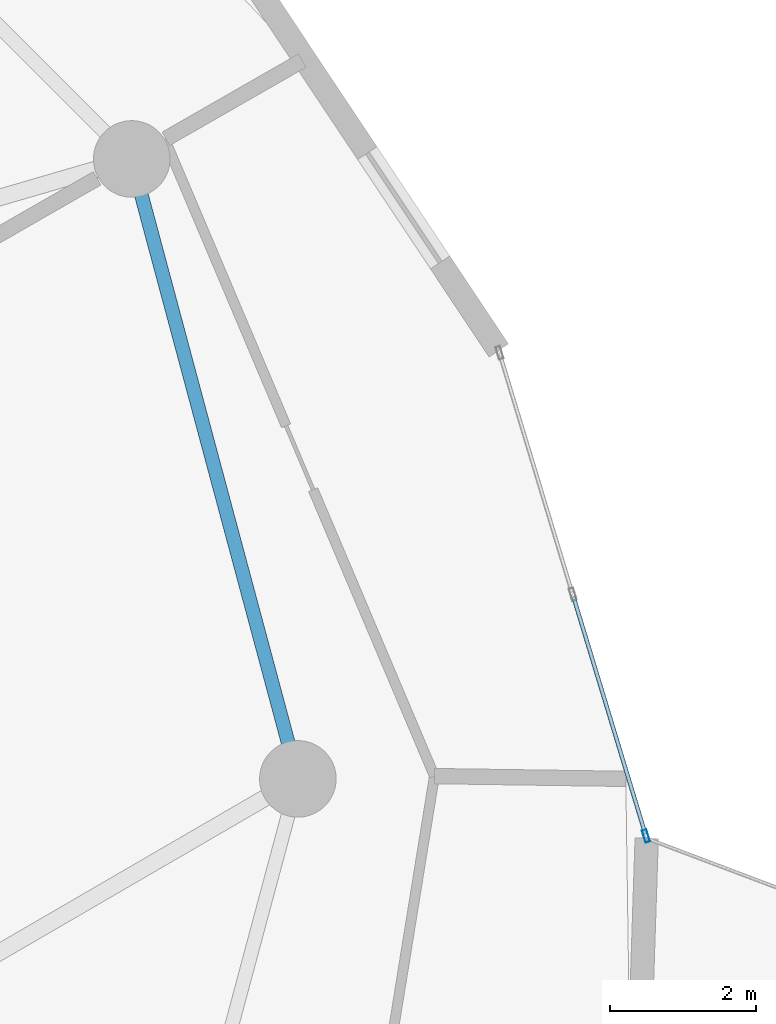
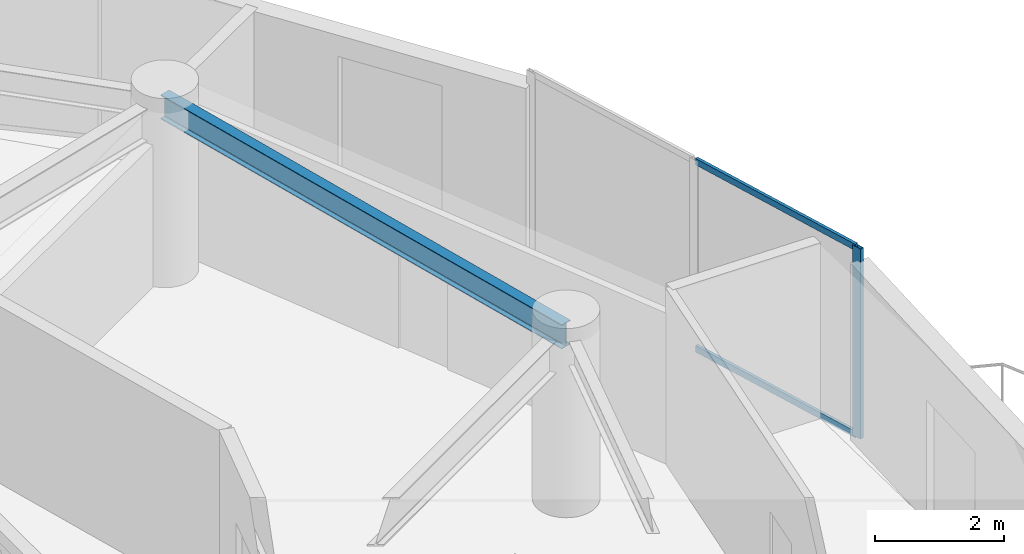
# One storey, part 13 of 26: 3 members, 1 beam, 1 element without a shape of its own.
"""IFC4 building model written with IfcOpenShell, lengths in metres."""

import ifcopenshell
import ifcopenshell.guid

model = None  # the IFC model being written
_history = None  # IfcOwnerHistory: only IFC2X3 demands one
_inside = {}  # id of a spatial element -> (the spatial element, [elements in it])
_under = {}  # id of a project, library or spatial element -> (it, [spatial elements below it])
_declared = {}  # id of a project -> (the project, [libraries it declares])
_typed = {}  # id of a type object -> (the type object, [elements of that type])
_made_of = {}  # id of a material, layer set ... -> (it, [elements and type objects made of it])


def new_model(schema):
    """Start an empty IFC model of exactly this schema.

    Asked for "IFC4X3", IfcOpenShell would pick the latest addendum, in which some entities
    have other attributes; the version numbers below select the first issue.
    IFC2X3 requires an IfcOwnerHistory on every rooted entity: one is made here for all.
    """
    global model, _history
    if schema == "IFC4X3":
        model = ifcopenshell.file(schema_version=(4, 3, 0, 0))
    else:
        model = ifcopenshell.file(schema=schema)
    _inside.clear()
    _under.clear()
    _declared.clear()
    _typed.clear()
    _made_of.clear()
    _history = None
    if model.schema == "IFC2X3":
        org = make("IfcOrganization", Name="unknown")
        user = make(
            "IfcPersonAndOrganization",
            ThePerson=make("IfcPerson", FamilyName="unknown"),
            TheOrganization=org,
        )
        app = make(
            "IfcApplication",
            ApplicationDeveloper=org,
            Version="unknown",
            ApplicationFullName="unknown",
            ApplicationIdentifier="unknown",
        )
        _history = make(
            "IfcOwnerHistory",
            OwningUser=user,
            OwningApplication=app,
            ChangeAction="ADDED",
            CreationDate=0,
        )
    return model


def make(cls, **values):
    """One entity of the class cls with the attributes given. An attribute that is None is left unset."""
    return model.create_entity(
        cls, **{name: value for name, value in values.items() if value is not None}
    )


def rooted(cls, **values):
    """An entity with a GlobalId (a new one), such as an element, a storey or a relation."""
    return make(cls, GlobalId=ifcopenshell.guid.new(), OwnerHistory=_history, **values)


def si_unit(unit_type, name, prefix=None):
    """IfcSIUnit, for example si_unit("LENGTHUNIT", "METRE", prefix="MILLI")."""
    return make("IfcSIUnit", UnitType=unit_type, Prefix=prefix, Name=name)


def assignment(units):
    """IfcUnitAssignment: the units of a project."""
    return None if units is None else make("IfcUnitAssignment", Units=units)


def point(xyz):
    """IfcCartesianPoint."""
    return None if xyz is None else make("IfcCartesianPoint", Coordinates=xyz)


def direction(xyz):
    """IfcDirection."""
    return None if xyz is None else make("IfcDirection", DirectionRatios=xyz)


def frame(location, z_axis=None, x_axis=None):
    """IfcAxis2Placement3D, a coordinate frame: its origin and axes. An axis left out is left unset."""
    return make(
        "IfcAxis2Placement3D",
        Location=point(location),
        Axis=direction(z_axis),
        RefDirection=direction(x_axis),
    )


def frame_2d(location, x_axis=None):
    """IfcAxis2Placement2D, a coordinate frame in the plane: its origin and x axis."""
    return make(
        "IfcAxis2Placement2D", Location=point(location), RefDirection=direction(x_axis)
    )


def origin():
    """The frame at (0, 0, 0) with its axes left unset."""
    return frame((0.0, 0.0, 0.0))


def origin_2d():
    """The frame at (0, 0) in the plane with its x axis left unset."""
    return frame_2d((0.0, 0.0))


def place(relative_to, where):
    """IfcLocalPlacement: puts the frame where relative to a parent placement (None: the world)."""
    return make(
        "IfcLocalPlacement", PlacementRelTo=relative_to, RelativePlacement=where
    )


def context(
    kind, dimensions, precision=None, world=None, true_north=None, identifier=None
):
    """IfcGeometricRepresentationContext, for example the 3D "Model" context."""
    return make(
        "IfcGeometricRepresentationContext",
        ContextIdentifier=identifier,
        ContextType=kind,
        CoordinateSpaceDimension=dimensions,
        Precision=precision,
        WorldCoordinateSystem=world,
        TrueNorth=true_north,
    )


def subcontext(parent, identifier, kind, view, scale=None):
    """IfcGeometricRepresentationSubContext, for example "Body" below "Model"."""
    return make(
        "IfcGeometricRepresentationSubContext",
        ContextIdentifier=identifier,
        ContextType=kind,
        ParentContext=parent,
        TargetScale=scale,
        TargetView=view,
    )


def project(units=None, contexts=None):
    """IfcProject with its units and contexts."""
    return rooted(
        "IfcProject",
        Name="project",
        RepresentationContexts=contexts,
        UnitsInContext=assignment(units),
    )


def spatial(cls, under=None, at=None, **own):
    """A site, building, storey or space (cls), placed at a placement, below another one or the project."""
    s = rooted(cls, ObjectPlacement=at, **own)
    if under is not None:
        _under.setdefault(under.id(), (under, []))[1].append(s)
    return s


def profile(cls, at=None, kind="AREA", **sizes):
    """A parametric profile (cls). Its sizes go by their IFC names, for example OverallWidth=200.0."""
    return make(cls, ProfileType=kind, Position=at, **sizes)


def hollow_rectangle(**sizes):
    """IfcRectangleHollowProfileDef."""
    return profile("IfcRectangleHollowProfileDef", **sizes)


def i_section(**sizes):
    """IfcIShapeProfileDef."""
    return profile("IfcIShapeProfileDef", **sizes)


def extrude(swept, where, along, depth):
    """IfcExtrudedAreaSolid: the profile swept, set in the frame where, extruded along a direction by depth."""
    return make(
        "IfcExtrudedAreaSolid",
        SweptArea=swept,
        Position=where,
        ExtrudedDirection=direction(along),
        Depth=depth,
    )


def shape(context_of_items, identifier, shape_type, items):
    """IfcShapeRepresentation: the items that make up one representation, for example the "Body"."""
    return make(
        "IfcShapeRepresentation",
        ContextOfItems=context_of_items,
        RepresentationIdentifier=identifier,
        RepresentationType=shape_type,
        Items=items,
    )


def source(mapping_origin, context_of_items, identifier, shape_type, items):
    """IfcRepresentationMap: a shape defined once, which mapped items show again and again."""
    return make(
        "IfcRepresentationMap",
        MappingOrigin=mapping_origin,
        MappedRepresentation=shape(context_of_items, identifier, shape_type, items),
    )


def transform(
    local_origin,
    x_axis=None,
    y_axis=None,
    z_axis=None,
    scale=None,
    scale2=None,
    scale3=None,
    uniform=True,
):
    """IfcCartesianTransformationOperator3D, or its non-uniform kind. x_axis, y_axis, z_axis: its Axis1, 2, 3."""
    if uniform:
        return make(
            "IfcCartesianTransformationOperator3D",
            Axis1=direction(x_axis),
            Axis2=direction(y_axis),
            LocalOrigin=point(local_origin),
            Scale=scale,
            Axis3=direction(z_axis),
        )
    return make(
        "IfcCartesianTransformationOperator3DnonUniform",
        Axis1=direction(x_axis),
        Axis2=direction(y_axis),
        LocalOrigin=point(local_origin),
        Scale=scale,
        Axis3=direction(z_axis),
        Scale2=scale2,
        Scale3=scale3,
    )


def mapped(mapping_source, mapping_target):
    """IfcMappedItem: shows the shape of a source again, moved by a transform."""
    return make(
        "IfcMappedItem", MappingSource=mapping_source, MappingTarget=mapping_target
    )


def material(Name=None, Category=None):
    """IfcMaterial."""
    return make("IfcMaterial", Name=Name, Category=Category)


def layer(
    of_material, thickness, ventilated=None, Name=None, Category=None, Priority=None
):
    """IfcMaterialLayer: one layer of a wall or slab, of a material (None: an air gap)."""
    return make(
        "IfcMaterialLayer",
        Material=of_material,
        LayerThickness=thickness,
        IsVentilated=ventilated,
        Name=Name,
        Category=Category,
        Priority=Priority,
    )


def layer_set(layers, Name=None):
    """IfcMaterialLayerSet."""
    return make("IfcMaterialLayerSet", MaterialLayers=layers, LayerSetName=Name)


def material_profile(
    of_material, cross_section, Name=None, Category=None, Priority=None
):
    """IfcMaterialProfile: a cross section and its material."""
    return make(
        "IfcMaterialProfile",
        Name=Name,
        Material=of_material,
        Profile=cross_section,
        Priority=Priority,
        Category=Category,
    )


def profile_set(profiles, Name=None, composite=None):
    """IfcMaterialProfileSet."""
    return make(
        "IfcMaterialProfileSet",
        Name=Name,
        MaterialProfiles=profiles,
        CompositeProfile=composite,
    )


def made_of(thing, what):
    """Note that an element or type object is made of a material, layer set ...; save() writes the relation."""
    if what is not None:
        _made_of.setdefault(what.id(), (what, []))[1].append(thing)
    return thing


def type_object(cls, material=None, **own):
    """A type object (cls), such as IfcWallType, which elements share."""
    return made_of(rooted(cls, **own), material)


def element(
    cls,
    number,
    at=None,
    inside=None,
    cuts=None,
    type_object=None,
    material=None,
    context=None,
    identifier="Body",
    shape_type=None,
    held_by="IfcProductDefinitionShape",
    body=None,
    shapes=None,
    **own,
):
    """One element of the class cls, such as IfcWall. Its Tag is "e" and its number.

    at: its placement. inside: the storey or other place that contains it. cuts: it is an
    opening in that element (IfcRelVoidsElement). A single representation is given by context,
    identifier, shape_type and body (its items); several are given by shapes. held_by: the class
    of the entity that holds the representations. save() writes the other relations.
    """
    e = rooted(cls, Tag="e%d" % number, ObjectPlacement=at, **own)
    if body is not None:
        shapes = [shape(context, identifier, shape_type, body)]
    if shapes is not None:
        e.Representation = make(held_by, Representations=shapes)
    if inside is not None:
        _inside.setdefault(inside.id(), (inside, []))[1].append(e)
    if cuts is not None:
        rooted(
            "IfcRelVoidsElement", RelatingBuildingElement=cuts, RelatedOpeningElement=e
        )
    if type_object is not None:
        _typed.setdefault(type_object.id(), (type_object, []))[1].append(e)
    return made_of(e, material)


def aggregate(whole, parts):
    """IfcRelAggregates: a whole, such as a stair, and the parts it consists of."""
    return rooted("IfcRelAggregates", RelatingObject=whole, RelatedObjects=parts)


def save(model, path):
    """Write the relations noted so far, then the file.

    IfcRelAggregates (storeys below a building ...), IfcRelContainedInSpatialStructure (elements
    in a storey), IfcRelDefinesByType, IfcRelAssociatesMaterial and IfcRelDeclares: one each for
    every whole, place, type object, material and project.
    """
    for whole, parts in _under.values():
        aggregate(whole, parts)
    for where, things in _inside.values():
        rooted(
            "IfcRelContainedInSpatialStructure",
            RelatedElements=things,
            RelatingStructure=where,
        )
    for kind, things in _typed.values():
        rooted("IfcRelDefinesByType", RelatedObjects=things, RelatingType=kind)
    for what, things in _made_of.values():
        rooted("IfcRelAssociatesMaterial", RelatedObjects=things, RelatingMaterial=what)
    for by, libraries in _declared.values():
        rooted("IfcRelDeclares", RelatingContext=by, RelatedDefinitions=libraries)
    model.write(path)


model = new_model("IFC4")

# Units and contexts
model_context = context("Model", 3, precision=1e-05, world=origin(), true_north=direction((0.0, 1.0)))
body_context = subcontext(model_context, "Body", "Model", "MODEL_VIEW")
ifc_project = project(units=[si_unit("LENGTHUNIT", "METRE"), si_unit("AREAUNIT", "SQUARE_METRE"), si_unit("VOLUMEUNIT", "CUBIC_METRE"), si_unit("PLANEANGLEUNIT", "RADIAN"), si_unit("MASSUNIT", "GRAM", prefix="KILO")], contexts=[model_context])

# Site, building, storey
site_placement = place(None, origin())
site = spatial("IfcSite", under=ifc_project, at=site_placement, CompositionType="ELEMENT")
building_placement = place(site_placement, origin())
building = spatial("IfcBuilding", under=site, at=building_placement, Name="Solvirekh Grand Hotel", CompositionType="ELEMENT")
storey_placement = place(building_placement, frame((0.0, 0.0, 113.39990234375)))
storey = spatial("IfcBuildingStorey", under=building, at=storey_placement, Name="L28", CompositionType="ELEMENT", Elevation=113.39990234375)

# Beam
ifc_material_1 = material(Name="Steel S355", Category="steel")
ifc_material_profile_1 = material_profile(ifc_material_1, i_section(OverallWidth=0.18994140625, OverallDepth=0.45703125, WebThickness=0.009033203125, FlangeThickness=0.013916015625, FilletRadius=0.012939453125, at=origin_2d()), Name="W460X74")
ifc_profile_set_1 = profile_set([ifc_material_profile_1], Name="Steel S355")
beam_type = type_object("IfcBeamType", Name="Spandrel_Ring_W460", PredefinedType="SPANDREL", material=ifc_profile_set_1)
beam_placement = place(storey_placement, frame((17.0, 0.0, 3.1220703125), z_axis=(-0.258872908946, 0.965911391906, 0.0), x_axis=(-0.965911391906, -0.258872908946, 0.0)))
element("IfcBeam", 1, at=beam_placement, inside=storey, type_object=beam_type, Name="L28 perimeter spandrel beam 1", PredefinedType="SPANDREL", context=body_context, shape_type="SweptSolid", body=[
    extrude(i_section(OverallWidth=0.18994140625, OverallDepth=0.45703125, WebThickness=0.009033203125, FlangeThickness=0.013916015625, FilletRadius=0.012939453125, at=origin_2d()), origin(), (0.0, 0.0, 1.0), 8.800048828125),
])

# Curtain wall, members
ifc_material_2 = material(Name="Anodized Bronze Aluminium 6063-T6", Category="aluminium")
ifc_layer = layer(ifc_material_2, 0.175048828125)
ifc_layer_set = layer_set([ifc_layer], Name="Anodized Bronze Aluminium 6063-T6")
curtain_wall_type = type_object("IfcCurtainWallType", Name="CW_Sys3_MidZoneFlushBronzeCW", PredefinedType="NOTDEFINED", material=ifc_layer_set)
curtain_wall_placement = place(storey_placement, origin())
curtain_wall = element("IfcCurtainWall", 2, at=curtain_wall_placement, inside=storey, type_object=curtain_wall_type, Name="L28 unitised bronze-glass curtain wall CW-L28-C03", PredefinedType="NOTDEFINED")
ifc_material_profile_2 = material_profile(ifc_material_2, hollow_rectangle(XDim=0.06494140625, YDim=0.175048828125, WallThickness=0.0048828125, at=origin_2d()), Name="ALU RHS 175X65X5")
ifc_profile_set_2 = profile_set([ifc_material_profile_2], Name="Anodized Bronze Aluminium 6063-T6")
member_type_1 = type_object("IfcMemberType", Name="CWMullion_Sys3", PredefinedType="MULLION", material=ifc_profile_set_2)
shared_shape_1 = source(origin(), body_context, "Body", "SweptSolid", [
    extrude(hollow_rectangle(XDim=0.06494140625, YDim=0.175048828125, WallThickness=0.0048828125, at=origin_2d()), origin(), (0.0, 0.0, 1.0), 3.60009765625),
])
member_1_placement = place(storey_placement, frame((21.773681640625, -0.783935546875, 0.0), z_axis=(0.0, 0.0, 1.0), x_axis=(-0.957023201108, -0.290011366226, 0.0)))
member_1 = element("IfcMember", 3, at=member_1_placement, type_object=member_type_1, Name="U03 mullion 1", PredefinedType="MULLION", context=body_context, shape_type="MappedRepresentation", body=[
    mapped(shared_shape_1, transform((0.0, 0.0, 0.0), x_axis=(1.0, 0.0, 0.0), y_axis=(0.0, 1.0, 0.0), z_axis=(0.0, 0.0, 1.0), scale=1.0)),
])
ifc_material_profile_3 = material_profile(ifc_material_2, hollow_rectangle(XDim=0.054931640625, YDim=0.1201171875, WallThickness=0.00390625, at=origin_2d()), Name="ALU RHS 120X55X4")
ifc_profile_set_3 = profile_set([ifc_material_profile_3], Name="Anodized Bronze Aluminium 6063-T6")
member_type_2 = type_object("IfcMemberType", Name="CWTransom_Sys3", PredefinedType="USERDEFINED", material=ifc_profile_set_3)
shared_shape_2 = source(origin(), body_context, "Body", "SweptSolid", [
    extrude(hollow_rectangle(XDim=0.054931640625, YDim=0.1201171875, WallThickness=0.00390625, at=origin_2d()), origin(), (0.0, 0.0, 1.0), 3.39697265625),
])
member_2_placement = place(storey_placement, frame((21.76416015625, -0.752685546875, 0.027587890625), z_axis=(-0.29006324588, 0.957007478231, 0.0), x_axis=(-0.957007478231, -0.29006324588, 0.0)))
member_2 = element("IfcMember", 4, at=member_2_placement, type_object=member_type_2, Name="U03 transom 1.1", ObjectType="TRANSOM", PredefinedType="USERDEFINED", context=body_context, shape_type="MappedRepresentation", body=[
    mapped(shared_shape_2, transform((0.0, 0.0, 0.0), x_axis=(1.0, 0.0, 0.0), y_axis=(0.0, 1.0, 0.0), z_axis=(0.0, 0.0, 1.0), scale=1.0)),
])
member_3_placement = place(storey_placement, frame((21.76416015625, -0.752685546875, 3.572509765625), z_axis=(-0.29006324588, 0.957007478231, 0.0), x_axis=(-0.957007478231, -0.29006324588, 0.0)))
member_3 = element("IfcMember", 5, at=member_3_placement, type_object=member_type_2, Name="U03 transom 1.2", ObjectType="TRANSOM", PredefinedType="USERDEFINED", context=body_context, shape_type="MappedRepresentation", body=[
    mapped(shared_shape_2, transform((0.0, 0.0, 0.0), x_axis=(1.0, 0.0, 0.0), y_axis=(0.0, 1.0, 0.0), z_axis=(0.0, 0.0, 1.0), scale=1.0)),
])
aggregate(curtain_wall, [member_1, member_2, member_3])

save(model, "model.ifc")
